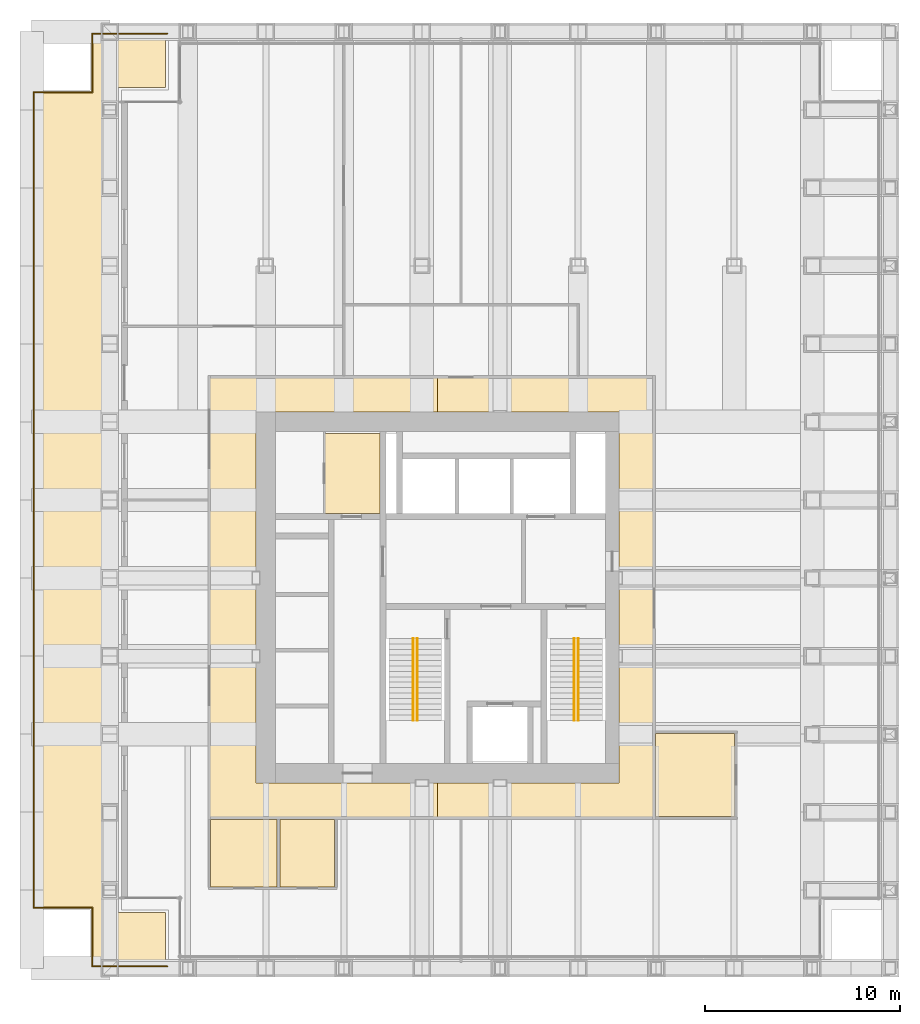
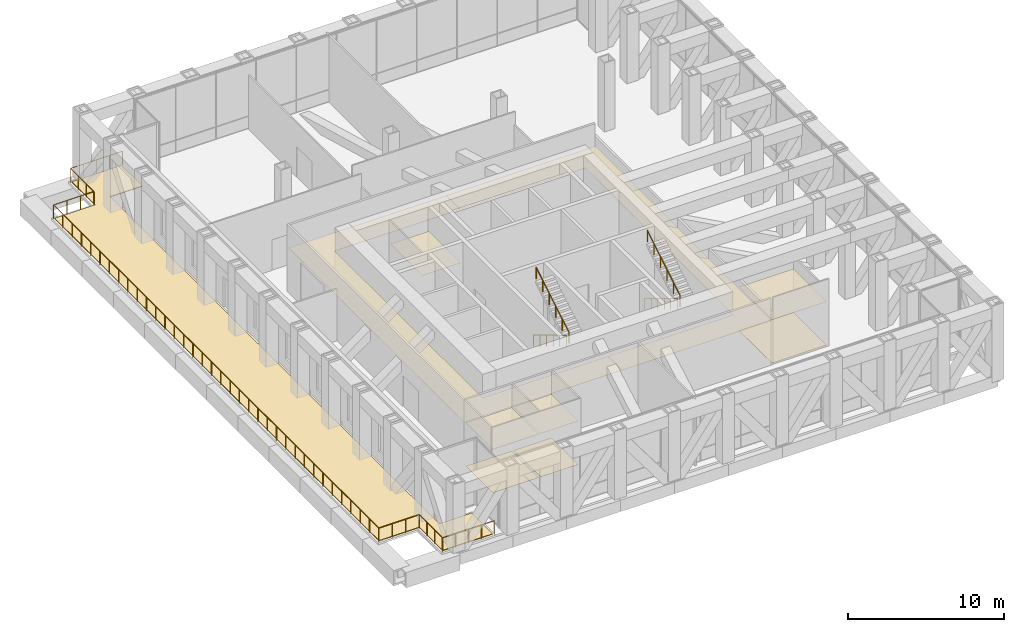
# One storey, part 12 of 12: 10 coverings, 5 railings.
"""IFC4 building model written with IfcOpenShell, lengths in metres."""

from ifc_helpers import new_model, si_unit, direction, frame, origin, origin_2d, place, context, subcontext, project, spatial, polyline, circle, outline, extrude, material, layer, layer_set, type_object, element, save


model = new_model("IFC4")

# Units and contexts
model_context = context("Model", 3, precision=1e-05, world=origin(), true_north=direction((0.0, 1.0)))
body_context = subcontext(model_context, "Body", "Model", "MODEL_VIEW")
ifc_project = project(units=[si_unit("LENGTHUNIT", "METRE"), si_unit("AREAUNIT", "SQUARE_METRE"), si_unit("VOLUMEUNIT", "CUBIC_METRE"), si_unit("PLANEANGLEUNIT", "RADIAN"), si_unit("MASSUNIT", "GRAM", prefix="KILO")], contexts=[model_context])

# Site, building, storey
site_placement = place(None, origin())
site = spatial("IfcSite", under=ifc_project, at=site_placement, CompositionType="ELEMENT")
building_placement = place(site_placement, origin())
building = spatial("IfcBuilding", under=site, at=building_placement, Name="Rimbunsela Tower", CompositionType="ELEMENT")
storey_placement = place(building_placement, frame((0.0, 0.0, 203.800048828125)))
storey = spatial("IfcBuildingStorey", under=building, at=storey_placement, Name="L49", CompositionType="ELEMENT", Elevation=203.800048828125)

# Coverings
ifc_material_1 = material(Name="Nylon carpet tile", Category="textile")
ifc_layer_1 = layer(ifc_material_1, 0.010009765625)
ifc_layer_set_1 = layer_set([ifc_layer_1], Name="Carpet tile 10")
covering_type_1 = type_object("IfcCoveringType", Name="Carpet tile 10", PredefinedType="FLOORING", material=ifc_layer_set_1)
covering_1_placement = place(storey_placement, origin())
element("IfcCovering", 1, at=covering_1_placement, inside=storey, type_object=covering_type_1, Name="Floor finish Staff rest room", PredefinedType="FLOORING", context=body_context, shape_type="SweptSolid", body=[
    extrude(outline(polyline([(18.574951171875, 12.175048828125), (18.574951171875, 15.625), (15.175048828125, 15.625), (15.175048828125, 12.175048828125), (18.574951171875, 12.175048828125)])), origin(), (0.0, 0.0, 1.0), 0.010009765625),
])
covering_2_placement = place(storey_placement, origin())
element("IfcCovering", 2, at=covering_2_placement, inside=storey, type_object=covering_type_1, Name="Floor finish First aid room", PredefinedType="FLOORING", context=body_context, shape_type="SweptSolid", body=[
    extrude(outline(polyline([(21.52490234375, 12.175048828125), (21.52490234375, 15.625), (18.72509765625, 15.625), (18.72509765625, 12.175048828125), (21.52490234375, 12.175048828125)])), origin(), (0.0, 0.0, 1.0), 0.010009765625),
])
covering_3_placement = place(storey_placement, origin())
element("IfcCovering", 3, at=covering_3_placement, inside=storey, type_object=covering_type_1, Name="Floor finish Building engineer's office", PredefinedType="FLOORING", context=body_context, shape_type="SweptSolid", body=[
    extrude(outline(polyline([(42.02490234375, 15.77490234375), (42.02490234375, 20.02490234375), (37.97509765625, 20.02490234375), (37.97509765625, 15.77490234375), (42.02490234375, 15.77490234375)])), origin(), (0.0, 0.0, 1.0), 0.010009765625),
])
ifc_material_2 = material(Name="Mineral fibre ceiling tile", Category="gypsum")
ifc_layer_2 = layer(ifc_material_2, 0.02001953125)
ifc_layer_set_2 = layer_set([ifc_layer_2], Name="Ceiling 600 grid")
covering_type_2 = type_object("IfcCoveringType", Name="Ceiling 600 grid", PredefinedType="CEILING", material=ifc_layer_set_2)
covering_4_placement = place(storey_placement, frame((0.0, 0.0, 3.39990234375)))
element("IfcCovering", 4, at=covering_4_placement, inside=storey, type_object=covering_type_2, Name="Ceiling IT room", PredefinedType="CEILING", context=body_context, shape_type="SweptSolid", body=[
    extrude(outline(polyline([(23.85009765625, 31.300048828125), (23.85009765625, 35.39990234375), (21.0, 35.39990234375), (21.0, 31.300048828125), (23.85009765625, 31.300048828125)])), origin(), (0.0, 0.0, 1.0), 0.02001953125),
])
covering_5_placement = place(storey_placement, frame((0.0, 0.0, 3.39990234375)))
element("IfcCovering", 5, at=covering_5_placement, inside=storey, type_object=covering_type_2, Name="Ceiling Ring corridor", PredefinedType="CEILING", context=body_context, shape_type="SweptSolid", body=[
    extrude(outline(polyline([(15.10009765625, 38.300048828125), (26.800048828125, 38.300048828125), (26.800048828125, 36.5), (17.5, 36.5), (17.5, 17.5), (26.800048828125, 17.5), (26.800048828125, 15.699951171875), (15.10009765625, 15.699951171875), (15.10009765625, 38.300048828125)])), origin(), (0.0, 0.0, 1.0), 0.02001953125),
])
covering_6_placement = place(storey_placement, frame((0.0, 0.0, 3.39990234375)))
element("IfcCovering", 6, at=covering_6_placement, inside=storey, type_object=covering_type_2, Name="Ceiling Ring corridor", PredefinedType="CEILING", context=body_context, shape_type="SweptSolid", body=[
    extrude(outline(polyline([(37.89990234375, 38.300048828125), (37.89990234375, 15.699951171875), (26.800048828125, 15.699951171875), (26.800048828125, 17.5), (36.10009765625, 17.5), (36.10009765625, 36.5), (26.800048828125, 36.5), (26.800048828125, 38.300048828125), (37.89990234375, 38.300048828125)])), origin(), (0.0, 0.0, 1.0), 0.02001953125),
])
covering_7_placement = place(storey_placement, frame((0.0, 0.0, 3.39990234375)))
element("IfcCovering", 7, at=covering_7_placement, inside=storey, type_object=covering_type_2, Name="Ceiling Staff rest room", PredefinedType="CEILING", context=body_context, shape_type="SweptSolid", body=[
    extrude(outline(polyline([(18.574951171875, 12.175048828125), (18.574951171875, 15.625), (15.175048828125, 15.625), (15.175048828125, 12.175048828125), (18.574951171875, 12.175048828125)])), origin(), (0.0, 0.0, 1.0), 0.02001953125),
])
covering_8_placement = place(storey_placement, frame((0.0, 0.0, 3.39990234375)))
element("IfcCovering", 8, at=covering_8_placement, inside=storey, type_object=covering_type_2, Name="Ceiling First aid room", PredefinedType="CEILING", context=body_context, shape_type="SweptSolid", body=[
    extrude(outline(polyline([(21.52490234375, 12.175048828125), (21.52490234375, 15.625), (18.72509765625, 15.625), (18.72509765625, 12.175048828125), (21.52490234375, 12.175048828125)])), origin(), (0.0, 0.0, 1.0), 0.02001953125),
])
covering_9_placement = place(storey_placement, frame((0.0, 0.0, 3.39990234375)))
element("IfcCovering", 9, at=covering_9_placement, inside=storey, type_object=covering_type_2, Name="Ceiling Building engineer's office", PredefinedType="CEILING", context=body_context, shape_type="SweptSolid", body=[
    extrude(outline(polyline([(42.02490234375, 15.77490234375), (42.02490234375, 20.02490234375), (37.97509765625, 20.02490234375), (37.97509765625, 15.77490234375), (42.02490234375, 15.77490234375)])), origin(), (0.0, 0.0, 1.0), 0.02001953125),
])

# Railings
ifc_material_3 = material(Name="Galvanised steel guard", Category="steel")
railing_type_1 = type_object("IfcRailingType", Name="Roof edge guard 1100", PredefinedType="GUARDRAIL", material=ifc_material_3)
railing_1_placement = place(storey_placement, frame((12.949951171875, 8.10009765625, 0.0)))
element("IfcRailing", 10, at=railing_1_placement, inside=storey, type_object=railing_type_1, Name="Roof edge guard L49", PredefinedType="GUARDRAIL", context=body_context, shape_type="SweptSolid", body=[
    extrude(circle(Radius=0.02392578125, at=origin_2d()), frame((0.0, 0.0, 1.076171875), z_axis=(-1.0, 0.0, 0.0), x_axis=(0.0, -1.0, 0.0)), (0.0, 0.0, 1.0), 3.849853515625),
    extrude(circle(Radius=0.02392578125, at=origin_2d()), frame((-3.849853515625, 0.0, 1.076171875), z_axis=(0.0, 1.0, 0.0), x_axis=(-1.0, 0.0, 0.0)), (0.0, 0.0, 1.0), 3.0),
    extrude(circle(Radius=0.02392578125, at=origin_2d()), frame((-3.849853515625, 3.0, 1.076171875), z_axis=(-1.0, 0.0, 0.0), x_axis=(0.0, -1.0, 0.0)), (0.0, 0.0, 1.0), 3.0),
    extrude(circle(Radius=0.02392578125, at=origin_2d()), frame((-6.849853515625, 3.0, 1.076171875), z_axis=(0.0, 1.0, 0.0), x_axis=(-1.0, 0.0, 0.0)), (0.0, 0.0, 1.0), 41.7998046875),
    extrude(circle(Radius=0.02392578125, at=origin_2d()), frame((-6.849853515625, 44.7998046875, 1.076171875), z_axis=(1.0, 0.0, 0.0), x_axis=(0.0, 1.0, 0.0)), (0.0, 0.0, 1.0), 3.0),
    extrude(circle(Radius=0.02392578125, at=origin_2d()), frame((-3.849853515625, 44.7998046875, 1.076171875), z_axis=(0.0, 1.0, 0.0), x_axis=(-1.0, 0.0, 0.0)), (0.0, 0.0, 1.0), 3.0),
    extrude(circle(Radius=0.02392578125, at=origin_2d()), frame((-3.849853515625, 47.7998046875, 1.076171875), z_axis=(1.0, 0.0, 0.0), x_axis=(0.0, 1.0, 0.0)), (0.0, 0.0, 1.0), 3.849853515625),
    extrude(circle(Radius=0.02099609375, at=origin_2d()), origin(), (0.0, 0.0, 1.0), 1.052001953125),
    extrude(circle(Radius=0.02099609375, at=origin_2d()), frame((-0.96240234375, 0.0, 0.0)), (0.0, 0.0, 1.0), 1.052001953125),
    extrude(circle(Radius=0.02099609375, at=origin_2d()), frame((-1.9248046875, 0.0, 0.0)), (0.0, 0.0, 1.0), 1.052001953125),
    extrude(circle(Radius=0.02099609375, at=origin_2d()), frame((-2.887451171875, 0.0, 0.0)), (0.0, 0.0, 1.0), 1.052001953125),
    extrude(circle(Radius=0.02099609375, at=origin_2d()), frame((-3.849853515625, 0.0, 0.0)), (0.0, 0.0, 1.0), 1.052001953125),
    extrude(circle(Radius=0.02099609375, at=origin_2d()), frame((-3.849853515625, 1.0, 0.0)), (0.0, 0.0, 1.0), 1.052001953125),
    extrude(circle(Radius=0.02099609375, at=origin_2d()), frame((-3.849853515625, 2.0, 0.0)), (0.0, 0.0, 1.0), 1.052001953125),
    extrude(circle(Radius=0.02099609375, at=origin_2d()), frame((-3.849853515625, 3.0, 0.0)), (0.0, 0.0, 1.0), 1.052001953125),
    extrude(circle(Radius=0.02099609375, at=origin_2d()), frame((-4.849853515625, 3.0, 0.0)), (0.0, 0.0, 1.0), 1.052001953125),
    extrude(circle(Radius=0.02099609375, at=origin_2d()), frame((-5.849853515625, 3.0, 0.0)), (0.0, 0.0, 1.0), 1.052001953125),
    extrude(circle(Radius=0.02099609375, at=origin_2d()), frame((-6.849853515625, 3.0, 0.0)), (0.0, 0.0, 1.0), 1.052001953125),
    extrude(circle(Radius=0.02099609375, at=origin_2d()), frame((-6.849853515625, 4.1943359375, 0.0)), (0.0, 0.0, 1.0), 1.052001953125),
    extrude(circle(Radius=0.02099609375, at=origin_2d()), frame((-6.849853515625, 5.388671875, 0.0)), (0.0, 0.0, 1.0), 1.052001953125),
    extrude(circle(Radius=0.02099609375, at=origin_2d()), frame((-6.849853515625, 6.582763671875, 0.0)), (0.0, 0.0, 1.0), 1.052001953125),
    extrude(circle(Radius=0.02099609375, at=origin_2d()), frame((-6.849853515625, 7.777099609375, 0.0)), (0.0, 0.0, 1.0), 1.052001953125),
    extrude(circle(Radius=0.02099609375, at=origin_2d()), frame((-6.849853515625, 8.971435546875, 0.0)), (0.0, 0.0, 1.0), 1.052001953125),
    extrude(circle(Radius=0.02099609375, at=origin_2d()), frame((-6.849853515625, 10.165771484375, 0.0)), (0.0, 0.0, 1.0), 1.052001953125),
    extrude(circle(Radius=0.02099609375, at=origin_2d()), frame((-6.849853515625, 11.35986328125, 0.0)), (0.0, 0.0, 1.0), 1.052001953125),
    extrude(circle(Radius=0.02099609375, at=origin_2d()), frame((-6.849853515625, 12.55419921875, 0.0)), (0.0, 0.0, 1.0), 1.052001953125),
    extrude(circle(Radius=0.02099609375, at=origin_2d()), frame((-6.849853515625, 13.74853515625, 0.0)), (0.0, 0.0, 1.0), 1.052001953125),
    extrude(circle(Radius=0.02099609375, at=origin_2d()), frame((-6.849853515625, 14.94287109375, 0.0)), (0.0, 0.0, 1.0), 1.052001953125),
    extrude(circle(Radius=0.02099609375, at=origin_2d()), frame((-6.849853515625, 16.136962890625, 0.0)), (0.0, 0.0, 1.0), 1.052001953125),
    extrude(circle(Radius=0.02099609375, at=origin_2d()), frame((-6.849853515625, 17.331298828125, 0.0)), (0.0, 0.0, 1.0), 1.052001953125),
    extrude(circle(Radius=0.02099609375, at=origin_2d()), frame((-6.849853515625, 18.525634765625, 0.0)), (0.0, 0.0, 1.0), 1.052001953125),
    extrude(circle(Radius=0.02099609375, at=origin_2d()), frame((-6.849853515625, 19.719970703125, 0.0)), (0.0, 0.0, 1.0), 1.052001953125),
    extrude(circle(Radius=0.02099609375, at=origin_2d()), frame((-6.849853515625, 20.914306640625, 0.0)), (0.0, 0.0, 1.0), 1.052001953125),
    extrude(circle(Radius=0.02099609375, at=origin_2d()), frame((-6.849853515625, 22.1083984375, 0.0)), (0.0, 0.0, 1.0), 1.052001953125),
    extrude(circle(Radius=0.02099609375, at=origin_2d()), frame((-6.849853515625, 23.302734375, 0.0)), (0.0, 0.0, 1.0), 1.052001953125),
    extrude(circle(Radius=0.02099609375, at=origin_2d()), frame((-6.849853515625, 24.4970703125, 0.0)), (0.0, 0.0, 1.0), 1.052001953125),
    extrude(circle(Radius=0.02099609375, at=origin_2d()), frame((-6.849853515625, 25.69140625, 0.0)), (0.0, 0.0, 1.0), 1.052001953125),
    extrude(circle(Radius=0.02099609375, at=origin_2d()), frame((-6.849853515625, 26.885498046875, 0.0)), (0.0, 0.0, 1.0), 1.052001953125),
    extrude(circle(Radius=0.02099609375, at=origin_2d()), frame((-6.849853515625, 28.079833984375, 0.0)), (0.0, 0.0, 1.0), 1.052001953125),
    extrude(circle(Radius=0.02099609375, at=origin_2d()), frame((-6.849853515625, 29.274169921875, 0.0)), (0.0, 0.0, 1.0), 1.052001953125),
    extrude(circle(Radius=0.02099609375, at=origin_2d()), frame((-6.849853515625, 30.468505859375, 0.0)), (0.0, 0.0, 1.0), 1.052001953125),
    extrude(circle(Radius=0.02099609375, at=origin_2d()), frame((-6.849853515625, 31.662841796875, 0.0)), (0.0, 0.0, 1.0), 1.052001953125),
    extrude(circle(Radius=0.02099609375, at=origin_2d()), frame((-6.849853515625, 32.85693359375, 0.0)), (0.0, 0.0, 1.0), 1.052001953125),
    extrude(circle(Radius=0.02099609375, at=origin_2d()), frame((-6.849853515625, 34.05126953125, 0.0)), (0.0, 0.0, 1.0), 1.052001953125),
    extrude(circle(Radius=0.02099609375, at=origin_2d()), frame((-6.849853515625, 35.24560546875, 0.0)), (0.0, 0.0, 1.0), 1.052001953125),
    extrude(circle(Radius=0.02099609375, at=origin_2d()), frame((-6.849853515625, 36.43994140625, 0.0)), (0.0, 0.0, 1.0), 1.052001953125),
    extrude(circle(Radius=0.02099609375, at=origin_2d()), frame((-6.849853515625, 37.634033203125, 0.0)), (0.0, 0.0, 1.0), 1.052001953125),
    extrude(circle(Radius=0.02099609375, at=origin_2d()), frame((-6.849853515625, 38.828369140625, 0.0)), (0.0, 0.0, 1.0), 1.052001953125),
    extrude(circle(Radius=0.02099609375, at=origin_2d()), frame((-6.849853515625, 40.022705078125, 0.0)), (0.0, 0.0, 1.0), 1.052001953125),
    extrude(circle(Radius=0.02099609375, at=origin_2d()), frame((-6.849853515625, 41.217041015625, 0.0)), (0.0, 0.0, 1.0), 1.052001953125),
    extrude(circle(Radius=0.02099609375, at=origin_2d()), frame((-6.849853515625, 42.4111328125, 0.0)), (0.0, 0.0, 1.0), 1.052001953125),
    extrude(circle(Radius=0.02099609375, at=origin_2d()), frame((-6.849853515625, 43.60546875, 0.0)), (0.0, 0.0, 1.0), 1.052001953125),
    extrude(circle(Radius=0.02099609375, at=origin_2d()), frame((-6.849853515625, 44.7998046875, 0.0)), (0.0, 0.0, 1.0), 1.052001953125),
    extrude(circle(Radius=0.02099609375, at=origin_2d()), frame((-5.849853515625, 44.7998046875, 0.0)), (0.0, 0.0, 1.0), 1.052001953125),
    extrude(circle(Radius=0.02099609375, at=origin_2d()), frame((-4.849853515625, 44.7998046875, 0.0)), (0.0, 0.0, 1.0), 1.052001953125),
    extrude(circle(Radius=0.02099609375, at=origin_2d()), frame((-3.849853515625, 44.7998046875, 0.0)), (0.0, 0.0, 1.0), 1.052001953125),
    extrude(circle(Radius=0.02099609375, at=origin_2d()), frame((-3.849853515625, 45.7998046875, 0.0)), (0.0, 0.0, 1.0), 1.052001953125),
    extrude(circle(Radius=0.02099609375, at=origin_2d()), frame((-3.849853515625, 46.7998046875, 0.0)), (0.0, 0.0, 1.0), 1.052001953125),
    extrude(circle(Radius=0.02099609375, at=origin_2d()), frame((-3.849853515625, 47.7998046875, 0.0)), (0.0, 0.0, 1.0), 1.052001953125),
    extrude(circle(Radius=0.02099609375, at=origin_2d()), frame((-2.887451171875, 47.7998046875, 0.0)), (0.0, 0.0, 1.0), 1.052001953125),
    extrude(circle(Radius=0.02099609375, at=origin_2d()), frame((-1.9248046875, 47.7998046875, 0.0)), (0.0, 0.0, 1.0), 1.052001953125),
    extrude(circle(Radius=0.02099609375, at=origin_2d()), frame((-0.96240234375, 47.7998046875, 0.0)), (0.0, 0.0, 1.0), 1.052001953125),
    extrude(circle(Radius=0.02099609375, at=origin_2d()), frame((0.0, 47.7998046875, 0.0)), (0.0, 0.0, 1.0), 1.052001953125),
])
ifc_material_4 = material(Name="Stainless steel tube", Category="steel")
railing_type_2 = type_object("IfcRailingType", Name="Stair handrail 900", PredefinedType="HANDRAIL", material=ifc_material_4)
railing_2_placement = place(storey_placement, frame((25.550048828125, 24.89990234375, 0.168701171875)))
element("IfcRailing", 11, at=railing_2_placement, inside=storey, type_object=railing_type_2, Name="Handrail ST-A flight 1", PredefinedType="HANDRAIL", context=body_context, shape_type="SweptSolid", body=[
    extrude(circle(Radius=0.02392578125, at=origin_2d()), frame((0.0, 0.0, 0.8759765625), z_axis=(0.0, -0.856476492594, 0.516186030065), x_axis=(1.0, 0.0, 0.0)), (0.0, 0.0, 1.0), 4.90380859375),
    extrude(circle(Radius=0.02099609375, at=origin_2d()), origin(), (0.0, 0.0, 1.0), 0.851806640625),
    extrude(circle(Radius=0.02099609375, at=origin_2d()), frame((0.0, -0.840087890625, 0.50634765625)), (0.0, 0.0, 1.0), 0.851806640625),
    extrude(circle(Radius=0.02099609375, at=origin_2d()), frame((0.0, -1.679931640625, 1.012451171875)), (0.0, 0.0, 1.0), 0.851806640625),
    extrude(circle(Radius=0.02099609375, at=origin_2d()), frame((0.0, -2.52001953125, 1.518798828125)), (0.0, 0.0, 1.0), 0.851806640625),
    extrude(circle(Radius=0.02099609375, at=origin_2d()), frame((0.0, -3.35986328125, 2.02490234375)), (0.0, 0.0, 1.0), 0.851806640625),
    extrude(circle(Radius=0.02099609375, at=origin_2d()), frame((0.0, -4.199951171875, 2.53125)), (0.0, 0.0, 1.0), 0.851806640625),
])
railing_3_placement = place(storey_placement, frame((25.75, 20.699951171875, 2.86865234375)))
element("IfcRailing", 12, at=railing_3_placement, inside=storey, type_object=railing_type_2, Name="Handrail ST-A flight 2", PredefinedType="HANDRAIL", context=body_context, shape_type="SweptSolid", body=[
    extrude(circle(Radius=0.02392578125, at=origin_2d()), frame((0.0, 0.0, 0.8759765625), z_axis=(0.0, 0.856476492594, 0.516186030065), x_axis=(-1.0, 0.0, 0.0)), (0.0, 0.0, 1.0), 4.90380859375),
    extrude(circle(Radius=0.02099609375, at=origin_2d()), origin(), (0.0, 0.0, 1.0), 0.851806640625),
    extrude(circle(Radius=0.02099609375, at=origin_2d()), frame((0.0, 0.840087890625, 0.50634765625)), (0.0, 0.0, 1.0), 0.851806640625),
    extrude(circle(Radius=0.02099609375, at=origin_2d()), frame((0.0, 1.679931640625, 1.012451171875)), (0.0, 0.0, 1.0), 0.851806640625),
    extrude(circle(Radius=0.02099609375, at=origin_2d()), frame((0.0, 2.52001953125, 1.518798828125)), (0.0, 0.0, 1.0), 0.851806640625),
    extrude(circle(Radius=0.02099609375, at=origin_2d()), frame((0.0, 3.35986328125, 2.02490234375)), (0.0, 0.0, 1.0), 0.851806640625),
    extrude(circle(Radius=0.02099609375, at=origin_2d()), frame((0.0, 4.199951171875, 2.53125)), (0.0, 0.0, 1.0), 0.851806640625),
])
railing_4_placement = place(storey_placement, frame((33.800048828125, 24.89990234375, 0.168701171875)))
element("IfcRailing", 13, at=railing_4_placement, inside=storey, type_object=railing_type_2, Name="Handrail ST-B flight 1", PredefinedType="HANDRAIL", context=body_context, shape_type="SweptSolid", body=[
    extrude(circle(Radius=0.02392578125, at=origin_2d()), frame((0.0, 0.0, 0.8759765625), z_axis=(0.0, -0.856476492594, 0.516186030065), x_axis=(1.0, 0.0, 0.0)), (0.0, 0.0, 1.0), 4.90380859375),
    extrude(circle(Radius=0.02099609375, at=origin_2d()), origin(), (0.0, 0.0, 1.0), 0.851806640625),
    extrude(circle(Radius=0.02099609375, at=origin_2d()), frame((0.0, -0.840087890625, 0.50634765625)), (0.0, 0.0, 1.0), 0.851806640625),
    extrude(circle(Radius=0.02099609375, at=origin_2d()), frame((0.0, -1.679931640625, 1.012451171875)), (0.0, 0.0, 1.0), 0.851806640625),
    extrude(circle(Radius=0.02099609375, at=origin_2d()), frame((0.0, -2.52001953125, 1.518798828125)), (0.0, 0.0, 1.0), 0.851806640625),
    extrude(circle(Radius=0.02099609375, at=origin_2d()), frame((0.0, -3.35986328125, 2.02490234375)), (0.0, 0.0, 1.0), 0.851806640625),
    extrude(circle(Radius=0.02099609375, at=origin_2d()), frame((0.0, -4.199951171875, 2.53125)), (0.0, 0.0, 1.0), 0.851806640625),
])
railing_5_placement = place(storey_placement, frame((34.0, 20.699951171875, 2.86865234375)))
element("IfcRailing", 14, at=railing_5_placement, inside=storey, type_object=railing_type_2, Name="Handrail ST-B flight 2", PredefinedType="HANDRAIL", context=body_context, shape_type="SweptSolid", body=[
    extrude(circle(Radius=0.02392578125, at=origin_2d()), frame((0.0, 0.0, 0.8759765625), z_axis=(0.0, 0.856476492594, 0.516186030065), x_axis=(-1.0, 0.0, 0.0)), (0.0, 0.0, 1.0), 4.90380859375),
    extrude(circle(Radius=0.02099609375, at=origin_2d()), origin(), (0.0, 0.0, 1.0), 0.851806640625),
    extrude(circle(Radius=0.02099609375, at=origin_2d()), frame((0.0, 0.840087890625, 0.50634765625)), (0.0, 0.0, 1.0), 0.851806640625),
    extrude(circle(Radius=0.02099609375, at=origin_2d()), frame((0.0, 1.679931640625, 1.012451171875)), (0.0, 0.0, 1.0), 0.851806640625),
    extrude(circle(Radius=0.02099609375, at=origin_2d()), frame((0.0, 2.52001953125, 1.518798828125)), (0.0, 0.0, 1.0), 0.851806640625),
    extrude(circle(Radius=0.02099609375, at=origin_2d()), frame((0.0, 3.35986328125, 2.02490234375)), (0.0, 0.0, 1.0), 0.851806640625),
    extrude(circle(Radius=0.02099609375, at=origin_2d()), frame((0.0, 4.199951171875, 2.53125)), (0.0, 0.0, 1.0), 0.851806640625),
])

# Covering
ifc_material_5 = material(Name="Porcelain paving on pedestals", Category="masonry")
ifc_layer_3 = layer(ifc_material_5, 0.050048828125)
ifc_layer_set_3 = layer_set([ifc_layer_3], Name="Terrace paving 50")
covering_type_3 = type_object("IfcCoveringType", Name="Terrace paving 50", PredefinedType="FLOORING", material=ifc_layer_set_3)
covering_10_placement = place(storey_placement, origin())
element("IfcCovering", 15, at=covering_10_placement, inside=storey, type_object=covering_type_3, Name="Maintenance roof walkway L49", PredefinedType="FLOORING", context=body_context, shape_type="SweptSolid", body=[
    extrude(outline(polyline([(9.14990234375, 8.14990234375), (9.14990234375, 11.14990234375), (6.14990234375, 11.14990234375), (6.14990234375, 52.85009765625), (9.14990234375, 52.85009765625), (9.14990234375, 55.85009765625), (12.85009765625, 55.85009765625), (12.85009765625, 53.14990234375), (10.449951171875, 53.14990234375), (10.449951171875, 10.85009765625), (12.85009765625, 10.85009765625), (12.85009765625, 8.14990234375), (9.14990234375, 8.14990234375)])), origin(), (0.0, 0.0, 1.0), 0.050048828125),
])

save(model, "model.ifc")
